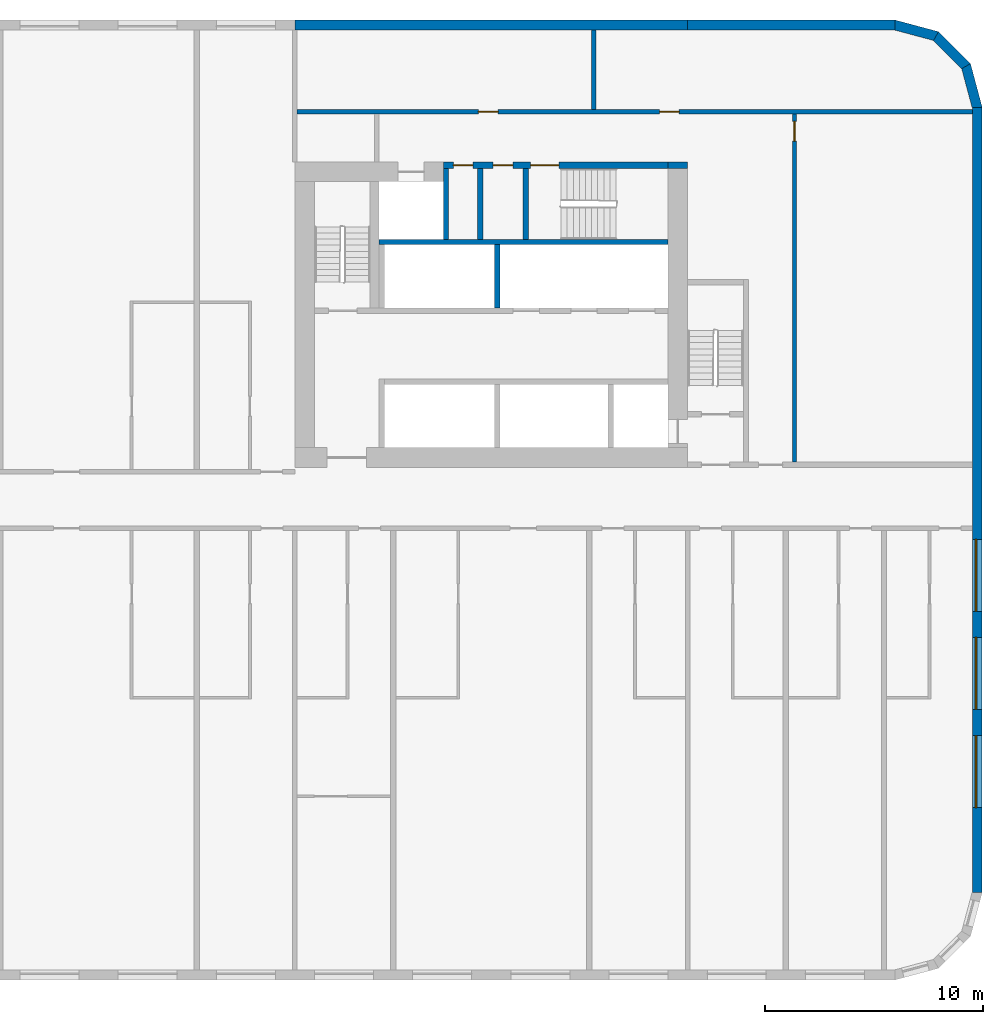
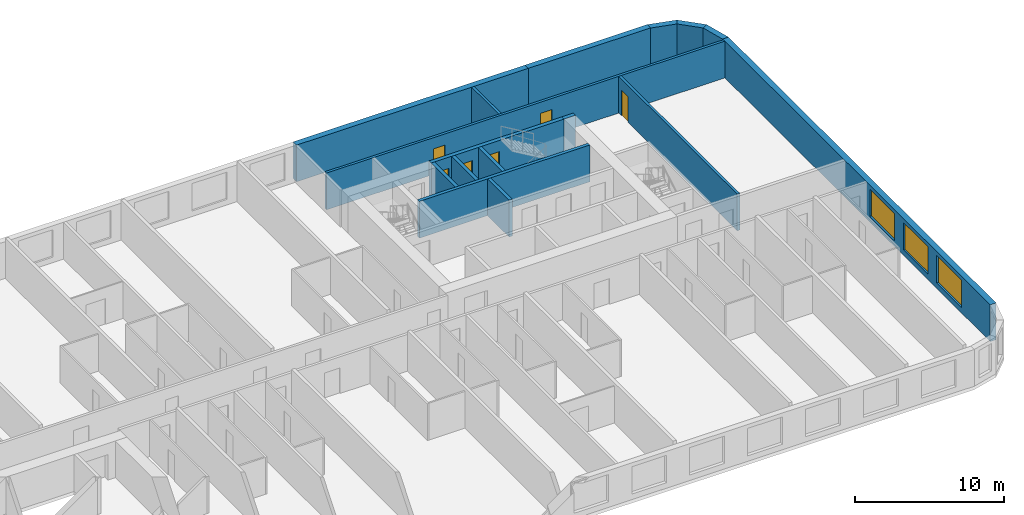
# One storey, part 8 of 12: 16 walls, 6 doors, 3 windows, 9 openings.
"""IFC4 building model written with IfcOpenShell, lengths in metres."""

from ifc_helpers import new_model, si_unit, direction, frame, frame_2d, origin, place, context, subcontext, project, spatial, polyline, rectangle, outline, extrude, material, layer, layer_set, type_object, element, fill, save


model = new_model("IFC4")

# Units and contexts
model_context = context("Model", 3, precision=1e-05, world=origin(), true_north=direction((0.0, 1.0)))
body_context = subcontext(model_context, "Body", "Model", "MODEL_VIEW")
ifc_project = project(units=[si_unit("LENGTHUNIT", "METRE"), si_unit("AREAUNIT", "SQUARE_METRE"), si_unit("VOLUMEUNIT", "CUBIC_METRE"), si_unit("PLANEANGLEUNIT", "RADIAN"), si_unit("MASSUNIT", "GRAM", prefix="KILO")], contexts=[model_context])

# Site, building, storey
site_placement = place(None, origin())
site = spatial("IfcSite", under=ifc_project, at=site_placement, CompositionType="ELEMENT")
building_placement = place(site_placement, origin())
building = spatial("IfcBuilding", under=site, at=building_placement, Name="Kajstack Hotel Tower", CompositionType="ELEMENT")
storey_placement = place(building_placement, frame((0.0, 0.0, 83.10009765625)))
storey = spatial("IfcBuildingStorey", under=building, at=storey_placement, Name="L16", CompositionType="ELEMENT", Elevation=83.10009765625)

# Walls
ifc_material_1 = material(Name="Concrete C60/75", Category="concrete")
ifc_layer_1 = layer(ifc_material_1, 0.89990234375)
ifc_layer_set_1 = layer_set([ifc_layer_1], Name="Core wall 900")
wall_type_1 = type_object("IfcWallType", Name="Core wall 900", PredefinedType="SHEAR", material=ifc_layer_set_1)
wall_1_placement = place(storey_placement, frame((30.60009765625, 15.35009765625, 0.0), z_axis=(0.0, 0.0, 1.0), x_axis=(1.0, 0.0, 0.0)))
element("IfcWall", 1, at=wall_1_placement, inside=storey, type_object=wall_type_1, Name="Core wall E RSW", PredefinedType="SHEAR", context=body_context, shape_type="SweptSolid", body=[
    extrude(rectangle(XDim=0.89990234375, YDim=0.300048828125, at=frame_2d((0.449951171875, 0.0))), origin(), (0.0, 0.0, 1.0), 3.02001953125),
])
ifc_material_2 = material(Name="Concrete C40/50", Category="concrete")
ifc_layer_2 = layer(ifc_material_2, 0.449951171875)
ifc_layer_set_2 = layer_set([ifc_layer_2], Name="EW-CORE")
wall_type_2 = type_object("IfcWallType", Name="EW-CORE", PredefinedType="SOLIDWALL", material=ifc_layer_set_2)
wall_2_placement = place(storey_placement, frame((31.5, 21.77490234375, 0.0), z_axis=(0.0, 0.0, 1.0), x_axis=(-1.0, 0.0, 0.0)))
element("IfcWall", 2, at=wall_2_placement, inside=storey, type_object=wall_type_2, Name="E-wall-L16-11-01", PredefinedType="SOLIDWALL", context=body_context, shape_type="SweptSolid", body=[
    extrude(rectangle(XDim=18.0, YDim=0.449951171875, at=frame_2d((9.0, 0.0))), origin(), (0.0, 0.0, 1.0), 3.02001953125),
])

# Wall, openings, windows
ifc_material_3 = material(Name="Terracotta-faced brick masonry", Category="masonry")
ifc_layer_3 = layer(ifc_material_3, 0.449951171875)
ifc_layer_set_3 = layer_set([ifc_layer_3], Name="EW-TERRA")
wall_type_3 = type_object("IfcWallType", Name="EW-TERRA", PredefinedType="SOLIDWALL", material=ifc_layer_set_3)
wall_3_placement = place(storey_placement, frame((44.77490234375, -18.0, 0.0), z_axis=(0.0, 0.0, 1.0), x_axis=(0.0, 1.0, 0.0)))
wall_3 = element("IfcWall", 3, at=wall_3_placement, inside=storey, type_object=wall_type_3, Name="E-wall-L16-07-00", PredefinedType="SOLIDWALL", context=body_context, shape_type="SweptSolid", body=[
    extrude(rectangle(XDim=36.0, YDim=0.449951171875, at=frame_2d((18.0, 0.0))), origin(), (0.0, 0.0, 1.0), 3.02001953125),
])
opening_1_placement = place(wall_3_placement, frame((3.89990234375, 0.0, 0.449951171875)))
opening_1 = element("IfcOpeningElement", 4, at=opening_1_placement, cuts=wall_3, Name="Opening W2", PredefinedType="OPENING", context=body_context, shape_type="SweptSolid", body=[
    extrude(rectangle(XDim=3.300048828125, YDim=2.25, at=frame_2d((1.64990234375, 1.125))), frame((0.0, 0.23486328125, 0.0), z_axis=(0.0, -1.0, 0.0), x_axis=(1.0, 0.0, 0.0)), (0.0, 0.0, 1.0), 0.469970703125),
])
opening_2_placement = place(wall_3_placement, frame((8.39990234375, 0.0, 0.449951171875)))
opening_2 = element("IfcOpeningElement", 5, at=opening_2_placement, cuts=wall_3, Name="Opening W2", PredefinedType="OPENING", context=body_context, shape_type="SweptSolid", body=[
    extrude(rectangle(XDim=3.300048828125, YDim=2.25, at=frame_2d((1.64990234375, 1.125))), frame((0.0, 0.23486328125, 0.0), z_axis=(0.0, -1.0, 0.0), x_axis=(1.0, 0.0, 0.0)), (0.0, 0.0, 1.0), 0.469970703125),
])
opening_3_placement = place(wall_3_placement, frame((12.89990234375, 0.0, 0.449951171875)))
opening_3 = element("IfcOpeningElement", 6, at=opening_3_placement, cuts=wall_3, Name="Opening W2", PredefinedType="OPENING", context=body_context, shape_type="SweptSolid", body=[
    extrude(rectangle(XDim=3.300048828125, YDim=2.25, at=frame_2d((1.64990234375, 1.125))), frame((0.0, 0.23486328125, 0.0), z_axis=(0.0, -1.0, 0.0), x_axis=(1.0, 0.0, 0.0)), (0.0, 0.0, 1.0), 0.469970703125),
])
ifc_material_4 = material(Name="Timber-aluminium window, triple glazed", Category="wood")
window_type = type_object("IfcWindowType", Name="WG2", PartitioningType="SINGLE_PANEL", PredefinedType="WINDOW", material=ifc_material_4)
window_1_placement = place(opening_1_placement, origin())
window_1 = element("IfcWindow", 7, at=window_1_placement, inside=storey, type_object=window_type, Name="Window W2 L16-07", OverallHeight=2.25, OverallWidth=3.300048828125, PartitioningType="SINGLE_PANEL", PredefinedType="WINDOW", context=body_context, shape_type="SweptSolid", body=[
    extrude(rectangle(XDim=3.300048828125, YDim=2.25, at=frame_2d((1.64990234375, 1.125))), frame((0.0, 0.090087890625, 0.0), z_axis=(0.0, -1.0, 0.0), x_axis=(1.0, 0.0, 0.0)), (0.0, 0.0, 1.0), 0.06005859375),
])
fill(opening_1, window_1)
window_2_placement = place(opening_2_placement, origin())
window_2 = element("IfcWindow", 8, at=window_2_placement, inside=storey, type_object=window_type, Name="Window W2 L16-07", OverallHeight=2.25, OverallWidth=3.300048828125, PartitioningType="SINGLE_PANEL", PredefinedType="WINDOW", context=body_context, shape_type="SweptSolid", body=[
    extrude(rectangle(XDim=3.300048828125, YDim=2.25, at=frame_2d((1.64990234375, 1.125))), frame((0.0, 0.090087890625, 0.0), z_axis=(0.0, -1.0, 0.0), x_axis=(1.0, 0.0, 0.0)), (0.0, 0.0, 1.0), 0.06005859375),
])
fill(opening_2, window_2)
window_3_placement = place(opening_3_placement, origin())
window_3 = element("IfcWindow", 9, at=window_3_placement, inside=storey, type_object=window_type, Name="Window W2 L16-07", OverallHeight=2.25, OverallWidth=3.300048828125, PartitioningType="SINGLE_PANEL", PredefinedType="WINDOW", context=body_context, shape_type="SweptSolid", body=[
    extrude(rectangle(XDim=3.300048828125, YDim=2.25, at=frame_2d((1.64990234375, 1.125))), frame((0.0, 0.090087890625, 0.0), z_axis=(0.0, -1.0, 0.0), x_axis=(1.0, 0.0, 0.0)), (0.0, 0.0, 1.0), 0.06005859375),
])
fill(opening_3, window_3)

# Walls
wall_4_placement = place(storey_placement, frame((44.78271484375, 17.941650390625, 0.0), z_axis=(0.0, 0.0, 1.0), x_axis=(-0.25881466832, 0.965926999034, 0.0)))
element("IfcWall", 10, at=wall_4_placement, inside=storey, type_object=wall_type_3, Name="E-wall-L16-08-00", PredefinedType="SOLIDWALL", context=body_context, shape_type="SweptSolid", body=[
    extrude(outline(polyline([(0.000244140625, -0.22509765625), (2.070556640625, -0.224853515625), (1.9501953125, 0.22509765625), (0.12060546875, 0.22509765625), (0.000244140625, -0.22509765625)])), origin(), (0.0, 0.0, 1.0), 3.02001953125),
])
wall_5_placement = place(storey_placement, frame((44.304931640625, 19.8408203125, 0.0), z_axis=(0.0, 0.0, 1.0), x_axis=(-0.707106781187, 0.707106781187, 0.0)))
element("IfcWall", 11, at=wall_5_placement, inside=storey, type_object=wall_type_3, Name="E-wall-L16-09-00", PredefinedType="SOLIDWALL", context=body_context, shape_type="SweptSolid", body=[
    extrude(outline(polyline([(0.0, -0.22509765625), (2.070556640625, -0.22509765625), (1.949951171875, 0.224853515625), (0.12060546875, 0.224853515625), (0.0, -0.22509765625)])), origin(), (0.0, 0.0, 1.0), 3.02001953125),
])
wall_6_placement = place(storey_placement, frame((42.941650390625, 21.246826171875, 0.0), z_axis=(0.0, 0.0, 1.0), x_axis=(-0.965926999034, 0.25881466832, 0.0)))
element("IfcWall", 12, at=wall_6_placement, inside=storey, type_object=wall_type_3, Name="E-wall-L16-10-00", PredefinedType="SOLIDWALL", context=body_context, shape_type="SweptSolid", body=[
    extrude(outline(polyline([(-0.000244140625, -0.224853515625), (2.0703125, -0.22509765625), (1.949951171875, 0.22509765625), (0.120361328125, 0.22509765625), (-0.000244140625, -0.224853515625)])), origin(), (0.0, 0.0, 1.0), 3.02001953125),
])
wall_7_placement = place(storey_placement, frame((41.0, 21.77490234375, 0.0), z_axis=(0.0, 0.0, 1.0), x_axis=(-1.0, 0.0, 0.0)))
element("IfcWall", 13, at=wall_7_placement, inside=storey, type_object=wall_type_3, Name="E-wall-L16-11-00", PredefinedType="SOLIDWALL", context=body_context, shape_type="SweptSolid", body=[
    extrude(rectangle(XDim=9.5, YDim=0.449951171875, at=frame_2d((4.75, 0.0))), origin(), (0.0, 0.0, 1.0), 3.02001953125),
])
ifc_material_5 = material(Name="Concrete C50/60", Category="concrete")
ifc_layer_4 = layer(ifc_material_5, 0.300048828125)
ifc_layer_set_4 = layer_set([ifc_layer_4], Name="Hoistway divider wall 300")
wall_type_4 = type_object("IfcWallType", Name="Hoistway divider wall 300", PredefinedType="SHEAR", material=ifc_layer_set_4)
wall_8_placement = place(storey_placement, frame((22.77490234375, 8.800048828125, 0.0), z_axis=(0.0, 0.0, 1.0), x_axis=(0.0, 1.0, 0.0)))
element("IfcWall", 14, at=wall_8_placement, inside=storey, type_object=wall_type_4, Name="Core wall E BP2", PredefinedType="SHEAR", context=body_context, shape_type="SweptSolid", body=[
    extrude(rectangle(XDim=2.89990234375, YDim=0.25, at=frame_2d((1.449951171875, 0.0))), origin(), (0.0, 0.0, 1.0), 3.02001953125),
])
ifc_material_6 = material(Name="Concrete block masonry", Category="masonry")
ifc_layer_5 = layer(ifc_material_6, 0.25)
ifc_layer_set_5 = layer_set([ifc_layer_5], Name="Riser partition 250")
wall_type_5 = type_object("IfcWallType", Name="Riser partition 250", PredefinedType="PARTITIONING", material=ifc_layer_set_5)
wall_9_placement = place(storey_placement, frame((22.0, 11.949951171875, 0.0), z_axis=(0.0, 0.0, 1.0), x_axis=(0.0, 1.0, 0.0)))
element("IfcWall", 15, at=wall_9_placement, inside=storey, type_object=wall_type_5, Name="Partition E SZ0", PredefinedType="PARTITIONING", context=body_context, shape_type="SweptSolid", body=[
    extrude(rectangle(XDim=3.25, YDim=0.25, at=frame_2d((1.625, 0.0))), origin(), (0.0, 0.0, 1.0), 3.02001953125),
])

# Wall, opening, door
ifc_material_7 = material(Name="Gypsum board on steel studs, mineral wool", Category="steel")
ifc_layer_6 = layer(ifc_material_7, 0.199951171875)
ifc_layer_set_6 = layer_set([ifc_layer_6], Name="Service partition 200")
wall_type_6 = type_object("IfcWallType", Name="Service partition 200", PredefinedType="PARTITIONING", material=ifc_layer_set_6)
wall_10_placement = place(storey_placement, frame((36.39990234375, 1.75, 0.0), z_axis=(0.0, 0.0, 1.0), x_axis=(0.0, 1.0, 0.0)))
wall_10 = element("IfcWall", 16, at=wall_10_placement, inside=storey, type_object=wall_type_6, Name="Partition E WRE", PredefinedType="PARTITIONING", context=body_context, shape_type="SweptSolid", body=[
    extrude(rectangle(XDim=15.949951171875, YDim=0.199951171875, at=frame_2d((7.97509765625, 0.0))), origin(), (0.0, 0.0, 1.0), 3.02001953125),
])
opening_4_placement = place(wall_10_placement, frame((14.699951171875, 0.0, 0.0)))
opening_4 = element("IfcOpeningElement", 17, at=opening_4_placement, cuts=wall_10, Name="Opening 16E16", PredefinedType="OPENING", context=body_context, shape_type="SweptSolid", body=[
    extrude(rectangle(XDim=0.89990234375, YDim=2.10009765625, at=frame_2d((0.449951171875, 1.050048828125))), frame((0.0, 0.10986328125, 0.0), z_axis=(0.0, -1.0, 0.0), x_axis=(1.0, 0.0, 0.0)), (0.0, 0.0, 1.0), 0.219970703125),
])
ifc_material_8 = material(Name="Timber leaf, fire-rated", Category="wood")
door_type_1 = type_object("IfcDoorType", Name="Service door 900", OperationType="SINGLE_SWING_LEFT", PredefinedType="DOOR", material=ifc_material_8)
door_1_placement = place(opening_4_placement, origin())
door_1 = element("IfcDoor", 18, at=door_1_placement, inside=storey, type_object=door_type_1, Name="Door 16E16", OperationType="SINGLE_SWING_RIGHT", OverallHeight=2.10009765625, OverallWidth=0.89990234375, PredefinedType="DOOR", context=body_context, shape_type="SweptSolid", body=[
    extrude(rectangle(XDim=0.89990234375, YDim=2.10009765625, at=frame_2d((0.449951171875, 1.050048828125))), frame((0.0, 0.02490234375, 0.0), z_axis=(0.0, -1.0, 0.0), x_axis=(1.0, 0.0, 0.0)), (0.0, 0.0, 1.0), 0.050048828125),
])
fill(opening_4, door_1)

# Wall, openings, doors
wall_11_placement = place(storey_placement, frame((13.60009765625, 17.800048828125, 0.0), z_axis=(0.0, 0.0, 1.0), x_axis=(1.0, 0.0, 0.0)))
wall_11 = element("IfcWall", 19, at=wall_11_placement, inside=storey, type_object=wall_type_6, Name="Partition E SLN", PredefinedType="PARTITIONING", context=body_context, shape_type="SweptSolid", body=[
    extrude(rectangle(XDim=30.949951171875, YDim=0.199951171875, at=frame_2d((15.47509765625, 0.0))), origin(), (0.0, 0.0, 1.0), 3.02001953125),
])
opening_5_placement = place(wall_11_placement, frame((16.612548828125, 0.0, 0.0)))
opening_5 = element("IfcOpeningElement", 20, at=opening_5_placement, cuts=wall_11, Name="Opening 16E14", PredefinedType="OPENING", context=body_context, shape_type="SweptSolid", body=[
    extrude(rectangle(XDim=0.89990234375, YDim=2.10009765625, at=frame_2d((0.449951171875, 1.050048828125))), frame((0.0, 0.10986328125, 0.0), z_axis=(0.0, -1.0, 0.0), x_axis=(1.0, 0.0, 0.0)), (0.0, 0.0, 1.0), 0.219970703125),
])
opening_6_placement = place(wall_11_placement, frame((8.3125, 0.0, 0.0)))
opening_6 = element("IfcOpeningElement", 21, at=opening_6_placement, cuts=wall_11, Name="Opening 16E15", PredefinedType="OPENING", context=body_context, shape_type="SweptSolid", body=[
    extrude(rectangle(XDim=0.89990234375, YDim=2.10009765625, at=frame_2d((0.449951171875, 1.050048828125))), frame((0.0, 0.10986328125, 0.0), z_axis=(0.0, -1.0, 0.0), x_axis=(1.0, 0.0, 0.0)), (0.0, 0.0, 1.0), 0.219970703125),
])
door_2_placement = place(opening_5_placement, origin())
door_2 = element("IfcDoor", 22, at=door_2_placement, inside=storey, type_object=door_type_1, Name="Door 16E14", OperationType="SINGLE_SWING_LEFT", OverallHeight=2.10009765625, OverallWidth=0.89990234375, PredefinedType="DOOR", context=body_context, shape_type="SweptSolid", body=[
    extrude(rectangle(XDim=0.89990234375, YDim=2.10009765625, at=frame_2d((0.449951171875, 1.050048828125))), frame((0.0, 0.02490234375, 0.0), z_axis=(0.0, -1.0, 0.0), x_axis=(1.0, 0.0, 0.0)), (0.0, 0.0, 1.0), 0.050048828125),
])
fill(opening_5, door_2)
door_3_placement = place(opening_6_placement, origin())
door_3 = element("IfcDoor", 23, at=door_3_placement, inside=storey, type_object=door_type_1, Name="Door 16E15", OperationType="SINGLE_SWING_LEFT", OverallHeight=2.10009765625, OverallWidth=0.89990234375, PredefinedType="DOOR", context=body_context, shape_type="SweptSolid", body=[
    extrude(rectangle(XDim=0.89990234375, YDim=2.10009765625, at=frame_2d((0.449951171875, 1.050048828125))), frame((0.0, 0.02490234375, 0.0), z_axis=(0.0, -1.0, 0.0), x_axis=(1.0, 0.0, 0.0)), (0.0, 0.0, 1.0), 0.050048828125),
])
fill(opening_6, door_3)

# Wall
wall_12_placement = place(storey_placement, frame((27.199951171875, 17.89990234375, 0.0), z_axis=(0.0, 0.0, 1.0), x_axis=(0.0, 1.0, 0.0)))
element("IfcWall", 24, at=wall_12_placement, inside=storey, type_object=wall_type_6, Name="Partition E SLP0", PredefinedType="PARTITIONING", context=body_context, shape_type="SweptSolid", body=[
    extrude(rectangle(XDim=3.650146484375, YDim=0.199951171875, at=frame_2d((1.8251953125, 0.0))), origin(), (0.0, 0.0, 1.0), 3.02001953125),
])

# Wall, openings, doors
ifc_layer_7 = layer(ifc_material_5, 0.25)
ifc_layer_set_7 = layer_set([ifc_layer_7], Name="Shaft wall 250")
wall_type_7 = type_object("IfcWallType", Name="Shaft wall 250", PredefinedType="SHEAR", material=ifc_layer_set_7)
wall_13_placement = place(storey_placement, frame((20.300048828125, 15.35009765625, 0.0), z_axis=(0.0, 0.0, 1.0), x_axis=(1.0, 0.0, 0.0)))
wall_13 = element("IfcWall", 25, at=wall_13_placement, inside=storey, type_object=wall_type_7, Name="Core wall E RSS", PredefinedType="SHEAR", context=body_context, shape_type="SweptSolid", body=[
    extrude(rectangle(XDim=10.300048828125, YDim=0.300048828125, at=frame_2d((5.14990234375, 0.0))), origin(), (0.0, 0.0, 1.0), 3.02001953125),
])
opening_7_placement = place(wall_13_placement, frame((4.0, 0.0, 0.0)))
opening_7 = element("IfcOpeningElement", 26, at=opening_7_placement, cuts=wall_13, Name="Opening 16E11", PredefinedType="OPENING", context=body_context, shape_type="SweptSolid", body=[
    extrude(rectangle(XDim=1.300048828125, YDim=2.10009765625, at=frame_2d((0.64990234375, 1.050048828125))), frame((0.0, 0.159912109375, 0.0), z_axis=(0.0, -1.0, 0.0), x_axis=(1.0, 0.0, 0.0)), (0.0, 0.0, 1.0), 0.320068359375),
])
opening_8_placement = place(wall_13_placement, frame((2.28759765625, 0.0, 0.0)))
opening_8 = element("IfcOpeningElement", 27, at=opening_8_placement, cuts=wall_13, Name="Opening 16E12", PredefinedType="OPENING", context=body_context, shape_type="SweptSolid", body=[
    extrude(rectangle(XDim=0.89990234375, YDim=2.10009765625, at=frame_2d((0.449951171875, 1.050048828125))), frame((0.0, 0.159912109375, 0.0), z_axis=(0.0, -1.0, 0.0), x_axis=(1.0, 0.0, 0.0)), (0.0, 0.0, 1.0), 0.320068359375),
])
opening_9_placement = place(wall_13_placement, frame((0.46240234375, 0.0, 0.0)))
opening_9 = element("IfcOpeningElement", 28, at=opening_9_placement, cuts=wall_13, Name="Opening 16E13", PredefinedType="OPENING", context=body_context, shape_type="SweptSolid", body=[
    extrude(rectangle(XDim=0.89990234375, YDim=2.10009765625, at=frame_2d((0.449951171875, 1.050048828125))), frame((0.0, 0.159912109375, 0.0), z_axis=(0.0, -1.0, 0.0), x_axis=(1.0, 0.0, 0.0)), (0.0, 0.0, 1.0), 0.320068359375),
])
door_4_placement = place(opening_8_placement, origin())
door_4 = element("IfcDoor", 29, at=door_4_placement, inside=storey, type_object=door_type_1, Name="Door 16E12", OperationType="SINGLE_SWING_RIGHT", OverallHeight=2.10009765625, OverallWidth=0.89990234375, PredefinedType="DOOR", context=body_context, shape_type="SweptSolid", body=[
    extrude(rectangle(XDim=0.89990234375, YDim=2.10009765625, at=frame_2d((0.449951171875, 1.050048828125))), frame((0.0, 0.02490234375, 0.0), z_axis=(0.0, -1.0, 0.0), x_axis=(1.0, 0.0, 0.0)), (0.0, 0.0, 1.0), 0.050048828125),
])
fill(opening_8, door_4)
door_5_placement = place(opening_9_placement, origin())
door_5 = element("IfcDoor", 30, at=door_5_placement, inside=storey, type_object=door_type_1, Name="Door 16E13", OperationType="SINGLE_SWING_RIGHT", OverallHeight=2.10009765625, OverallWidth=0.89990234375, PredefinedType="DOOR", context=body_context, shape_type="SweptSolid", body=[
    extrude(rectangle(XDim=0.89990234375, YDim=2.10009765625, at=frame_2d((0.449951171875, 1.050048828125))), frame((0.0, 0.02490234375, 0.0), z_axis=(0.0, -1.0, 0.0), x_axis=(1.0, 0.0, 0.0)), (0.0, 0.0, 1.0), 0.050048828125),
])
fill(opening_9, door_5)
ifc_material_9 = material(Name="Steel leaf, fire-rated", Category="steel")
door_type_2 = type_object("IfcDoorType", Name="Stair door 1300", OperationType="SINGLE_SWING_LEFT", PredefinedType="DOOR", material=ifc_material_9)
door_6_placement = place(opening_7_placement, origin())
door_6 = element("IfcDoor", 31, at=door_6_placement, inside=storey, type_object=door_type_2, Name="Door 16E11", OperationType="SINGLE_SWING_LEFT", OverallHeight=2.10009765625, OverallWidth=1.300048828125, PredefinedType="DOOR", context=body_context, shape_type="SweptSolid", body=[
    extrude(rectangle(XDim=1.300048828125, YDim=2.10009765625, at=frame_2d((0.64990234375, 1.050048828125))), frame((0.0, 0.02490234375, 0.0), z_axis=(0.0, -1.0, 0.0), x_axis=(1.0, 0.0, 0.0)), (0.0, 0.0, 1.0), 0.050048828125),
])
fill(opening_7, door_6)

# Walls
wall_14_placement = place(storey_placement, frame((17.35009765625, 11.824951171875, 0.0), z_axis=(0.0, 0.0, 1.0), x_axis=(1.0, 0.0, 0.0)))
element("IfcWall", 32, at=wall_14_placement, inside=storey, type_object=wall_type_7, Name="Core wall E RB", PredefinedType="SHEAR", context=body_context, shape_type="SweptSolid", body=[
    extrude(rectangle(XDim=13.25, YDim=0.25, at=frame_2d((6.625, 0.0))), origin(), (0.0, 0.0, 1.0), 3.02001953125),
])
wall_15_placement = place(storey_placement, frame((20.425048828125, 11.949951171875, 0.0), z_axis=(0.0, 0.0, 1.0), x_axis=(0.0, 1.0, 0.0)))
element("IfcWall", 33, at=wall_15_placement, inside=storey, type_object=wall_type_7, Name="Core wall E SVW", PredefinedType="SHEAR", context=body_context, shape_type="SweptSolid", body=[
    extrude(rectangle(XDim=3.25, YDim=0.25, at=frame_2d((1.625, 0.0))), origin(), (0.0, 0.0, 1.0), 3.02001953125),
])
ifc_layer_8 = layer(ifc_material_5, 0.35009765625)
ifc_layer_set_8 = layer_set([ifc_layer_8], Name="Stair enclosure wall 350")
wall_type_8 = type_object("IfcWallType", Name="Stair enclosure wall 350", PredefinedType="SHEAR", material=ifc_layer_set_8)
wall_16_placement = place(storey_placement, frame((24.074951171875, 11.949951171875, 0.0), z_axis=(0.0, 0.0, 1.0), x_axis=(0.0, 1.0, 0.0)))
element("IfcWall", 34, at=wall_16_placement, inside=storey, type_object=wall_type_8, Name="Core wall E W3E", PredefinedType="SHEAR", context=body_context, shape_type="SweptSolid", body=[
    extrude(rectangle(XDim=3.25, YDim=0.25, at=frame_2d((1.625, 0.0))), origin(), (0.0, 0.0, 1.0), 3.02001953125),
])

save(model, "model.ifc")
